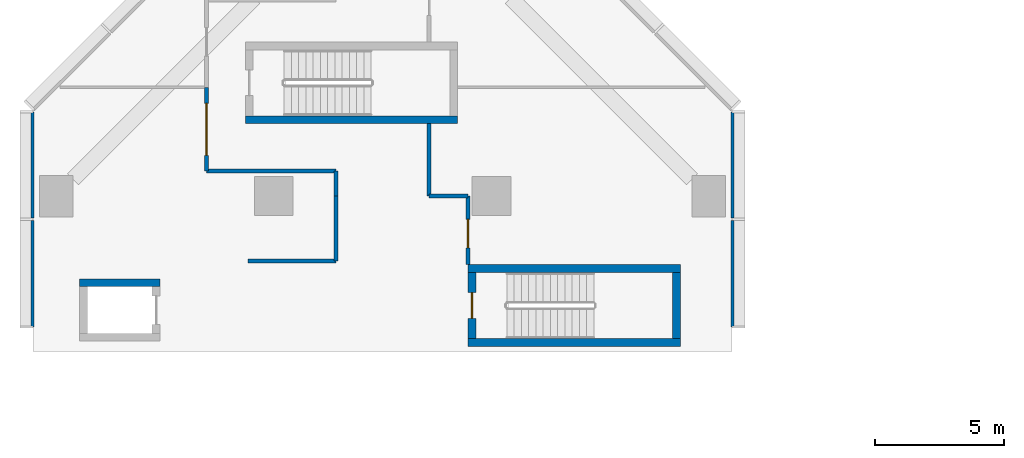
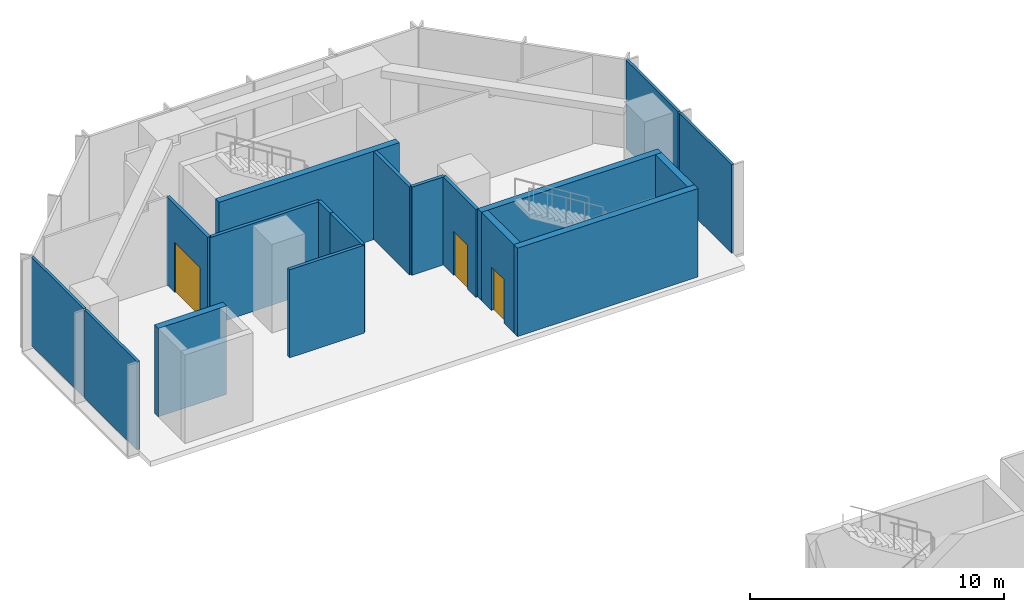
# One storey, part 13 of 18: 18 walls, 3 doors, 3 openings.
"""IFC4 building model written with IfcOpenShell, lengths in metres."""

from ifc_helpers import new_model, si_unit, direction, frame, frame_2d, origin, place, context, subcontext, project, spatial, polyline, rectangle, outline, extrude, material, layer, layer_set, type_object, element, fill, save


model = new_model("IFC4")

# Units and contexts
model_context = context("Model", 3, precision=1e-05, world=origin(), true_north=direction((0.0, 1.0)))
body_context = subcontext(model_context, "Body", "Model", "MODEL_VIEW")
ifc_project = project(units=[si_unit("LENGTHUNIT", "METRE"), si_unit("AREAUNIT", "SQUARE_METRE"), si_unit("VOLUMEUNIT", "CUBIC_METRE"), si_unit("PLANEANGLEUNIT", "RADIAN"), si_unit("MASSUNIT", "GRAM", prefix="KILO")], contexts=[model_context])

# Site, building, storey
site_placement = place(None, origin())
site = spatial("IfcSite", under=ifc_project, at=site_placement, CompositionType="ELEMENT")
building_placement = place(site_placement, origin())
building = spatial("IfcBuilding", under=site, at=building_placement, Name="Brevane Broadcast Tower", CompositionType="ELEMENT")
storey_placement = place(building_placement, frame((0.0, 0.0, 27.5)))
storey = spatial("IfcBuildingStorey", under=building, at=storey_placement, Name="L04", CompositionType="ELEMENT", Elevation=27.5)

# Walls
ifc_material_1 = material(Name="Concrete C80/95", Category="concrete")
ifc_layer_1 = layer(ifc_material_1, 0.300048828125)
ifc_layer_set_1 = layer_set([ifc_layer_1], Name="Core wall 300 mm C80/95")
wall_type_1 = type_object("IfcWallType", Name="Core wall 300 mm C80/95", PredefinedType="SHEAR", material=ifc_layer_set_1)
wall_1_placement = place(storey_placement, frame((0.89990234375, 55.449951171875, 0.0), z_axis=(0.0, 0.0, 1.0), x_axis=(1.0, 0.0, 0.0)))
element("IfcWall", 1, at=wall_1_placement, inside=storey, type_object=wall_type_1, Name="L04 shaft wall PL1-N", PredefinedType="SHEAR", context=body_context, shape_type="SweptSolid", body=[
    extrude(rectangle(XDim=3.10009765625, YDim=0.300048828125, at=frame_2d((1.550048828125, 0.0))), origin(), (0.0, 0.0, 1.0), 4.25),
])
for number, where, z_axis, x_axis, name in (
    (2, (15.89990234375, 53.14990234375, 0.0), (0.0, 0.0, 1.0), (1.0, 0.0, 0.0), "L04 stair wall ST-5-S"),
    (3, (15.89990234375, 56.0, 0.0), (0.0, 0.0, 1.0), (1.0, 0.0, 0.0), "L04 stair wall ST-5-N"),
):
    element("IfcWall", number, at=place(storey_placement, frame(where, z_axis=z_axis, x_axis=x_axis)), inside=storey, type_object=wall_type_1, Name=name, PredefinedType="SHEAR", context=body_context, shape_type="SweptSolid", body=[
        extrude(rectangle(XDim=8.2001953125, YDim=0.300048828125, at=frame_2d((4.10009765625, 0.0))), origin(), (0.0, 0.0, 1.0), 4.25),
    ])

# Wall, opening, door
wall_2_placement = place(storey_placement, frame((16.050048828125, 53.300048828125, 0.0), z_axis=(0.0, 0.0, 1.0), x_axis=(0.0, 1.0, 0.0)))
wall_2 = element("IfcWall", 4, at=wall_2_placement, inside=storey, type_object=wall_type_1, Name="L04 stair wall ST-5-W", PredefinedType="SHEAR", context=body_context, shape_type="SweptSolid", body=[
    extrude(rectangle(XDim=2.550048828125, YDim=0.300048828125, at=frame_2d((1.27490234375, 0.0))), origin(), (0.0, 0.0, 1.0), 4.25),
])
opening_1_placement = place(wall_2_placement, frame((0.77490234375, 0.0, 0.0)))
opening_1 = element("IfcOpeningElement", 5, at=opening_1_placement, cuts=wall_2, Name="Opening L04-K17", PredefinedType="OPENING", context=body_context, shape_type="SweptSolid", body=[
    extrude(rectangle(XDim=1.0, YDim=2.10009765625, at=frame_2d((0.5, 1.050048828125))), frame((0.0, 0.159912109375, 0.0), z_axis=(0.0, -1.0, 0.0), x_axis=(1.0, 0.0, 0.0)), (0.0, 0.0, 1.0), 0.320068359375),
])
ifc_material_2 = material(Name="Steel", Category="steel")
door_type_1 = type_object("IfcDoorType", Name="Stair door 1000 x 2100", OperationType="SINGLE_SWING_LEFT", PredefinedType="DOOR", material=ifc_material_2)
door_1_placement = place(opening_1_placement, origin())
door_1 = element("IfcDoor", 6, at=door_1_placement, inside=storey, type_object=door_type_1, Name="Door L04-K17", OperationType="SINGLE_SWING_LEFT", OverallHeight=2.10009765625, OverallWidth=1.0, PredefinedType="DOOR", context=body_context, shape_type="SweptSolid", body=[
    extrude(rectangle(XDim=1.0, YDim=2.10009765625, at=frame_2d((0.5, 1.050048828125))), frame((0.0, 0.02490234375, 0.0), z_axis=(0.0, -1.0, 0.0), x_axis=(1.0, 0.0, 0.0)), (0.0, 0.0, 1.0), 0.050048828125),
])
fill(opening_1, door_1)

# Walls
wall_3_placement = place(storey_placement, frame((23.949951171875, 53.300048828125, 0.0), z_axis=(0.0, 0.0, 1.0), x_axis=(0.0, 1.0, 0.0)))
element("IfcWall", 7, at=wall_3_placement, inside=storey, type_object=wall_type_1, Name="L04 stair wall ST-5-E", PredefinedType="SHEAR", context=body_context, shape_type="SweptSolid", body=[
    extrude(rectangle(XDim=2.550048828125, YDim=0.300048828125, at=frame_2d((1.27490234375, 0.0))), origin(), (0.0, 0.0, 1.0), 4.25),
])
wall_4_placement = place(storey_placement, frame((7.300048828125, 61.75, 0.0), z_axis=(0.0, 0.0, 1.0), x_axis=(1.0, 0.0, 0.0)))
element("IfcWall", 8, at=wall_4_placement, inside=storey, type_object=wall_type_1, Name="L04 stair wall ST-6-S", PredefinedType="SHEAR", context=body_context, shape_type="SweptSolid", body=[
    extrude(rectangle(XDim=8.199951171875, YDim=0.300048828125, at=frame_2d((4.10009765625, 0.0))), origin(), (0.0, 0.0, 1.0), 4.25),
])
ifc_material_3 = material(Name="Gypsum board partition")
ifc_layer_2 = layer(ifc_material_3, 0.14990234375)
ifc_layer_set_2 = layer_set([ifc_layer_2], Name="PARTITION 150 EI 60")
wall_type_2 = type_object("IfcWallType", Name="PARTITION 150 EI 60", PredefinedType="PARTITIONING", material=ifc_layer_set_2)
wall_5_placement = place(storey_placement, frame((10.800048828125, 56.300048828125, 0.0), z_axis=(0.0, 0.0, 1.0), x_axis=(0.0, 1.0, 0.0)))
element("IfcWall", 9, at=wall_5_placement, inside=storey, type_object=wall_type_2, Name="Partition P4-041", PredefinedType="PARTITIONING", context=body_context, shape_type="SweptSolid", body=[
    extrude(rectangle(XDim=2.5, YDim=0.14990234375, at=frame_2d((1.25, 0.0))), origin(), (0.0, 0.0, 1.0), 4.22998046875),
])
wall_6_placement = place(storey_placement, frame((14.39990234375, 58.800048828125, 0.0), z_axis=(0.0, 0.0, 1.0), x_axis=(1.0, 0.0, 0.0)))
element("IfcWall", 10, at=wall_6_placement, inside=storey, type_object=wall_type_2, Name="Partition P4-042", PredefinedType="PARTITIONING", context=body_context, shape_type="SweptSolid", body=[
    extrude(rectangle(XDim=1.5, YDim=0.14990234375, at=frame_2d((0.75, 0.0))), origin(), (0.0, 0.0, 1.0), 4.22998046875),
])

# Wall, opening, door
wall_7_placement = place(storey_placement, frame((15.89990234375, 58.800048828125, 0.0), z_axis=(0.0, 0.0, 1.0), x_axis=(0.0, -1.0, 0.0)))
wall_7 = element("IfcWall", 11, at=wall_7_placement, inside=storey, type_object=wall_type_2, Name="Partition P4-043", PredefinedType="PARTITIONING", context=body_context, shape_type="SweptSolid", body=[
    extrude(rectangle(XDim=2.650146484375, YDim=0.14990234375, at=frame_2d((1.3251953125, 0.0))), origin(), (0.0, 0.0, 1.0), 4.22998046875),
])
opening_2_placement = place(wall_7_placement, frame((0.89990234375, 0.0, 0.0)))
opening_2 = element("IfcOpeningElement", 12, at=opening_2_placement, cuts=wall_7, Name="Opening D05-016", PredefinedType="OPENING", context=body_context, shape_type="SweptSolid", body=[
    extrude(rectangle(XDim=1.10009765625, YDim=2.10009765625, at=frame_2d((0.550048828125, 1.050048828125))), frame((0.0, 0.0849609375, 0.0), z_axis=(0.0, -1.0, 0.0), x_axis=(1.0, 0.0, 0.0)), (0.0, 0.0, 1.0), 0.169921875),
])
ifc_material_4 = material(Name="Fire-rated timber door leaf", Category="wood")
door_type_2 = type_object("IfcDoorType", Name="DOOR SINGLE 1100 FD30S", OperationType="SINGLE_SWING_LEFT", PredefinedType="DOOR", material=ifc_material_4)
door_2_placement = place(opening_2_placement, origin())
door_2 = element("IfcDoor", 13, at=door_2_placement, inside=storey, type_object=door_type_2, Name="Door D05-016", OperationType="SINGLE_SWING_LEFT", OverallHeight=2.10009765625, OverallWidth=1.10009765625, PredefinedType="DOOR", context=body_context, shape_type="SweptSolid", body=[
    extrude(rectangle(XDim=1.10009765625, YDim=2.10009765625, at=frame_2d((0.550048828125, 1.050048828125))), frame((0.0, 0.02490234375, 0.0), z_axis=(0.0, -1.0, 0.0), x_axis=(1.0, 0.0, 0.0)), (0.0, 0.0, 1.0), 0.050048828125),
])
fill(opening_2, door_2)

# Wall
wall_8_placement = place(storey_placement, frame((10.800048828125, 59.77490234375, 0.0), z_axis=(0.0, 0.0, 1.0), x_axis=(-1.0, 0.0, 0.0)))
element("IfcWall", 14, at=wall_8_placement, inside=storey, type_object=wall_type_2, Name="Partition P4-044", PredefinedType="PARTITIONING", context=body_context, shape_type="SweptSolid", body=[
    extrude(rectangle(XDim=5.0, YDim=0.14990234375, at=frame_2d((2.5, 0.0))), origin(), (0.0, 0.0, 1.0), 4.22998046875),
])

# Wall, opening, door
wall_9_placement = place(storey_placement, frame((5.800048828125, 59.77490234375, 0.0), z_axis=(0.0, 0.0, 1.0), x_axis=(0.0, 1.0, 0.0)))
wall_9 = element("IfcWall", 15, at=wall_9_placement, inside=storey, type_object=wall_type_2, Name="Partition P4-045", PredefinedType="PARTITIONING", context=body_context, shape_type="SweptSolid", body=[
    extrude(rectangle(XDim=3.22509765625, YDim=0.14990234375, at=frame_2d((1.612548828125, 0.0))), origin(), (0.0, 0.0, 1.0), 4.22998046875),
])
opening_3_placement = place(wall_9_placement, frame((0.60009765625, 0.0, 0.0)))
opening_3 = element("IfcOpeningElement", 16, at=opening_3_placement, cuts=wall_9, Name="Opening D05-014", PredefinedType="OPENING", context=body_context, shape_type="SweptSolid", body=[
    extrude(rectangle(XDim=2.0, YDim=2.39990234375, at=frame_2d((1.0, 1.199951171875))), frame((0.0, 0.0849609375, 0.0), z_axis=(0.0, -1.0, 0.0), x_axis=(1.0, 0.0, 0.0)), (0.0, 0.0, 1.0), 0.169921875),
])
door_type_3 = type_object("IfcDoorType", Name="DOOR DOUBLE 2000 FD30S", OperationType="DOUBLE_DOOR_SINGLE_SWING", PredefinedType="DOOR", material=ifc_material_4)
door_3_placement = place(opening_3_placement, origin())
door_3 = element("IfcDoor", 17, at=door_3_placement, inside=storey, type_object=door_type_3, Name="Door D05-014", OperationType="DOUBLE_DOOR_SINGLE_SWING", OverallHeight=2.39990234375, OverallWidth=2.0, PredefinedType="DOOR", context=body_context, shape_type="SweptSolid", body=[
    extrude(rectangle(XDim=2.0, YDim=2.39990234375, at=frame_2d((1.0, 1.199951171875))), frame((0.0, 0.02490234375, 0.0), z_axis=(0.0, -1.0, 0.0), x_axis=(1.0, 0.0, 0.0)), (0.0, 0.0, 1.0), 0.050048828125),
])
fill(opening_3, door_3)

# Walls
wall_10_placement = place(storey_placement, frame((7.39990234375, 56.300048828125, 0.0), z_axis=(0.0, 0.0, 1.0), x_axis=(1.0, 0.0, 0.0)))
element("IfcWall", 18, at=wall_10_placement, inside=storey, type_object=wall_type_2, Name="Partition P4-048", PredefinedType="PARTITIONING", context=body_context, shape_type="SweptSolid", body=[
    extrude(rectangle(XDim=3.400146484375, YDim=0.14990234375, at=frame_2d((1.7001953125, 0.0))), origin(), (0.0, 0.0, 1.0), 4.22998046875),
])
wall_11_placement = place(storey_placement, frame((10.800048828125, 59.77490234375, 0.0), z_axis=(0.0, 0.0, 1.0), x_axis=(0.0, -1.0, 0.0)))
element("IfcWall", 19, at=wall_11_placement, inside=storey, type_object=wall_type_2, Name="Partition P4-052", PredefinedType="PARTITIONING", context=body_context, shape_type="SweptSolid", body=[
    extrude(rectangle(XDim=0.974853515625, YDim=0.14990234375, at=frame_2d((0.4873046875, 0.0))), origin(), (0.0, 0.0, 1.0), 4.22998046875),
])
wall_12_placement = place(storey_placement, frame((14.39990234375, 58.800048828125, 0.0), z_axis=(0.0, 0.0, 1.0), x_axis=(0.0, 1.0, 0.0)))
element("IfcWall", 20, at=wall_12_placement, inside=storey, type_object=wall_type_2, Name="Partition P4-054", PredefinedType="PARTITIONING", context=body_context, shape_type="SweptSolid", body=[
    extrude(rectangle(XDim=2.800048828125, YDim=0.14990234375, at=frame_2d((1.39990234375, 0.0))), origin(), (0.0, 0.0, 1.0), 4.22998046875),
])
ifc_material_5 = material(Name="Precast concrete C40/50", Category="concrete")
ifc_layer_3 = layer(ifc_material_5, 0.1201171875)
ifc_layer_set_3 = layer_set([ifc_layer_3], Name="Podium precast cladding wall 120 C40/50")
wall_type_3 = type_object("IfcWallType", Name="Podium precast cladding wall 120 C40/50", PredefinedType="SOLIDWALL", material=ifc_layer_set_3)
wall_13_placement = place(storey_placement, origin())
element("IfcWall", 21, at=wall_13_placement, inside=storey, type_object=wall_type_3, Name="Podium precast cladding wall", PredefinedType="SOLIDWALL", context=body_context, shape_type="SweptSolid", body=[
    extrude(outline(polyline([(26.169921875, 57.85498046875), (26.050048828125, 57.85498046875), (26.050048828125, 53.7451171875), (26.169921875, 53.7451171875), (26.169921875, 57.85498046875)])), origin(), (0.0, 0.0, 1.0), 4.25),
])
wall_14_placement = place(storey_placement, origin())
element("IfcWall", 22, at=wall_14_placement, inside=storey, type_object=wall_type_3, Name="Podium precast cladding wall", PredefinedType="SOLIDWALL", context=body_context, shape_type="SweptSolid", body=[
    extrude(outline(polyline([(26.169921875, 62.054931640625), (26.050048828125, 62.054931640625), (26.050048828125, 57.945068359375), (26.169921875, 57.945068359375), (26.169921875, 62.054931640625)])), origin(), (0.0, 0.0, 1.0), 4.25),
])
wall_15_placement = place(storey_placement, origin())
element("IfcWall", 23, at=wall_15_placement, inside=storey, type_object=wall_type_3, Name="Podium precast cladding wall", PredefinedType="SOLIDWALL", context=body_context, shape_type="SweptSolid", body=[
    extrude(outline(polyline([(-0.969970703125, 57.945068359375), (-0.85009765625, 57.945068359375), (-0.85009765625, 62.054931640625), (-0.969970703125, 62.054931640625), (-0.969970703125, 57.945068359375)])), origin(), (0.0, 0.0, 1.0), 4.25),
])
wall_16_placement = place(storey_placement, origin())
element("IfcWall", 24, at=wall_16_placement, inside=storey, type_object=wall_type_3, Name="Podium precast cladding wall", PredefinedType="SOLIDWALL", context=body_context, shape_type="SweptSolid", body=[
    extrude(outline(polyline([(-0.969970703125, 53.7451171875), (-0.85009765625, 53.7451171875), (-0.85009765625, 57.85498046875), (-0.969970703125, 57.85498046875), (-0.969970703125, 53.7451171875)])), origin(), (0.0, 0.0, 1.0), 4.25),
])

save(model, "model.ifc")
